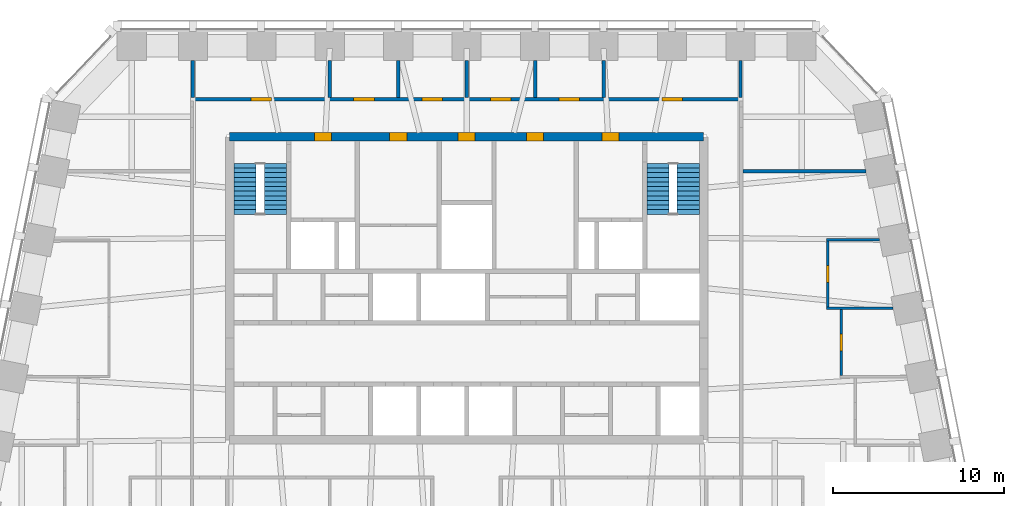
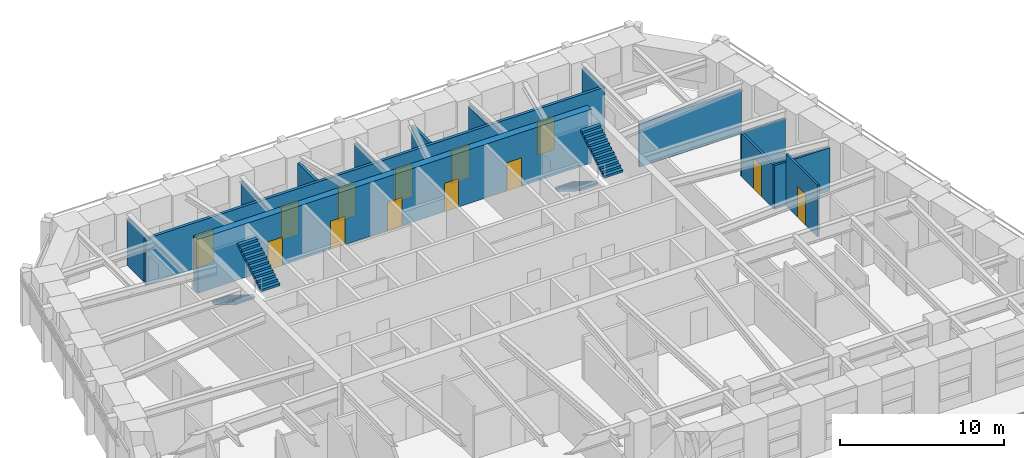
# One storey, part 8 of 11: 14 walls, 13 doors, 4 stair flights, 13 openings, 2 elements without a shape of their own.
"""IFC4 building model written with IfcOpenShell, lengths in metres."""

from ifc_helpers import new_model, si_unit, direction, frame, frame_2d, origin, place, context, subcontext, project, spatial, polyline, rectangle, outline, extrude, material, layer, layer_set, type_object, element, fill, aggregate, save


model = new_model("IFC4")

# Units and contexts
model_context = context("Model", 3, precision=1e-05, world=origin(), true_north=direction((0.0, 1.0)))
body_context = subcontext(model_context, "Body", "Model", "MODEL_VIEW")
ifc_project = project(units=[si_unit("LENGTHUNIT", "METRE"), si_unit("AREAUNIT", "SQUARE_METRE"), si_unit("VOLUMEUNIT", "CUBIC_METRE"), si_unit("PLANEANGLEUNIT", "RADIAN"), si_unit("MASSUNIT", "GRAM", prefix="KILO")], contexts=[model_context])

# Site, building, storey
site_placement = place(None, origin())
site = spatial("IfcSite", under=ifc_project, at=site_placement, CompositionType="ELEMENT")
building_placement = place(site_placement, origin())
building = spatial("IfcBuilding", under=site, at=building_placement, Name="Isbrekke Arena Tower", CompositionType="ELEMENT")
storey_placement = place(building_placement, frame((0.0, 0.0, 272.0)))
storey = spatial("IfcBuildingStorey", under=building, at=storey_placement, Name="L63", CompositionType="ELEMENT", Elevation=272.0)

# Wall, openings, doors
ifc_material_1 = material(Name="Concrete B55 (C55/67)", Category="concrete")
ifc_layer_1 = layer(ifc_material_1, 0.5)
ifc_layer_set_1 = layer_set([ifc_layer_1], Name="CW5 CORE WALL 500")
wall_type_1 = type_object("IfcWallType", Name="CW5 CORE WALL 500", PredefinedType="SHEAR", material=ifc_layer_set_1)
wall_1_placement = place(storey_placement, frame((13.85009765625, 23.85009765625, 0.0), z_axis=(0.0, 0.0, 1.0), x_axis=(-1.0, 0.0, 0.0)))
wall_1 = element("IfcWall", 1, at=wall_1_placement, inside=storey, type_object=wall_type_1, Name="Core wall N L63", PredefinedType="SHEAR", context=body_context, shape_type="SweptSolid", body=[
    extrude(rectangle(XDim=27.7001953125, YDim=0.5, at=frame_2d((13.85009765625, 0.0))), origin(), (0.0, 0.0, 1.0), 4.0),
])
opening_1_placement = place(wall_1_placement, frame((21.75, 0.0, 0.0)))
opening_1 = element("IfcOpeningElement", 2, at=opening_1_placement, cuts=wall_1, Name="Opening D3", PredefinedType="OPENING", context=body_context, shape_type="SweptSolid", body=[
    extrude(rectangle(XDim=1.0, YDim=2.10009765625, at=frame_2d((0.5, 1.050048828125))), frame((0.0, 0.264892578125, 0.0), z_axis=(0.0, -1.0, 0.0), x_axis=(1.0, 0.0, 0.0)), (0.0, 0.0, 1.0), 0.52978515625),
])
opening_2_placement = place(wall_1_placement, frame((4.949951171875, 0.0, 0.0)))
opening_2 = element("IfcOpeningElement", 3, at=opening_2_placement, cuts=wall_1, Name="Opening D3", PredefinedType="OPENING", context=body_context, shape_type="SweptSolid", body=[
    extrude(rectangle(XDim=1.0, YDim=2.10009765625, at=frame_2d((0.5, 1.050048828125))), frame((0.0, 0.264892578125, 0.0), z_axis=(0.0, -1.0, 0.0), x_axis=(1.0, 0.0, 0.0)), (0.0, 0.0, 1.0), 0.52978515625),
])
opening_3_placement = place(wall_1_placement, frame((17.35009765625, 0.0, 0.0)))
opening_3 = element("IfcOpeningElement", 4, at=opening_3_placement, cuts=wall_1, Name="Opening D4", PredefinedType="OPENING", context=body_context, shape_type="SweptSolid", body=[
    extrude(rectangle(XDim=1.0, YDim=2.10009765625, at=frame_2d((0.5, 1.050048828125))), frame((0.0, 0.264892578125, 0.0), z_axis=(0.0, -1.0, 0.0), x_axis=(1.0, 0.0, 0.0)), (0.0, 0.0, 1.0), 0.52978515625),
])
opening_4_placement = place(wall_1_placement, frame((13.35009765625, 0.0, 0.0)))
opening_4 = element("IfcOpeningElement", 5, at=opening_4_placement, cuts=wall_1, Name="Opening D4", PredefinedType="OPENING", context=body_context, shape_type="SweptSolid", body=[
    extrude(rectangle(XDim=1.0, YDim=2.10009765625, at=frame_2d((0.5, 1.050048828125))), frame((0.0, 0.264892578125, 0.0), z_axis=(0.0, -1.0, 0.0), x_axis=(1.0, 0.0, 0.0)), (0.0, 0.0, 1.0), 0.52978515625),
])
opening_5_placement = place(wall_1_placement, frame((9.35009765625, 0.0, 0.0)))
opening_5 = element("IfcOpeningElement", 6, at=opening_5_placement, cuts=wall_1, Name="Opening D4", PredefinedType="OPENING", context=body_context, shape_type="SweptSolid", body=[
    extrude(rectangle(XDim=1.0, YDim=2.10009765625, at=frame_2d((0.5, 1.050048828125))), frame((0.0, 0.264892578125, 0.0), z_axis=(0.0, -1.0, 0.0), x_axis=(1.0, 0.0, 0.0)), (0.0, 0.0, 1.0), 0.52978515625),
])
ifc_material_2 = material(Name="Steel fire door", Category="steel")
door_type_1 = type_object("IfcDoorType", Name="D3 FIRE LOBBY DOOR 1000 x 2100", OperationType="SINGLE_SWING_RIGHT", PredefinedType="DOOR", material=ifc_material_2)
door_1_placement = place(opening_1_placement, origin())
door_1 = element("IfcDoor", 7, at=door_1_placement, inside=storey, type_object=door_type_1, Name="D3 fire-fighting lobby door L63", OperationType="SINGLE_SWING_RIGHT", OverallHeight=2.10009765625, OverallWidth=1.0, PredefinedType="DOOR", context=body_context, shape_type="SweptSolid", body=[
    extrude(rectangle(XDim=1.0, YDim=2.10009765625, at=frame_2d((0.5, 1.050048828125))), frame((0.0, 0.249755859375, 0.0), z_axis=(0.0, -1.0, 0.0), x_axis=(1.0, 0.0, 0.0)), (0.0, 0.0, 1.0), 0.49951171875),
])
fill(opening_1, door_1)
door_2_placement = place(opening_2_placement, origin())
door_2 = element("IfcDoor", 8, at=door_2_placement, inside=storey, type_object=door_type_1, Name="D3 fire-fighting lobby door L63", OperationType="SINGLE_SWING_RIGHT", OverallHeight=2.10009765625, OverallWidth=1.0, PredefinedType="DOOR", context=body_context, shape_type="SweptSolid", body=[
    extrude(rectangle(XDim=1.0, YDim=2.10009765625, at=frame_2d((0.5, 1.050048828125))), frame((0.0, 0.249755859375, 0.0), z_axis=(0.0, -1.0, 0.0), x_axis=(1.0, 0.0, 0.0)), (0.0, 0.0, 1.0), 0.49951171875),
])
fill(opening_2, door_2)
ifc_material_3 = material(Name="Timber door", Category="wood")
door_type_2 = type_object("IfcDoorType", Name="D4 WC DOOR 1000 x 2100", OperationType="SINGLE_SWING_LEFT", PredefinedType="DOOR", material=ifc_material_3)
door_3_placement = place(opening_3_placement, origin())
door_3 = element("IfcDoor", 9, at=door_3_placement, inside=storey, type_object=door_type_2, Name="D4 wc female door L63", OperationType="SINGLE_SWING_LEFT", OverallHeight=2.10009765625, OverallWidth=1.0, PredefinedType="DOOR", context=body_context, shape_type="SweptSolid", body=[
    extrude(rectangle(XDim=1.0, YDim=2.10009765625, at=frame_2d((0.5, 1.050048828125))), frame((0.0, 0.249755859375, 0.0), z_axis=(0.0, -1.0, 0.0), x_axis=(1.0, 0.0, 0.0)), (0.0, 0.0, 1.0), 0.49951171875),
])
fill(opening_3, door_3)
door_4_placement = place(opening_4_placement, origin())
door_4 = element("IfcDoor", 10, at=door_4_placement, inside=storey, type_object=door_type_2, Name="D4 accessible wc door L63", OperationType="SINGLE_SWING_LEFT", OverallHeight=2.10009765625, OverallWidth=1.0, PredefinedType="DOOR", context=body_context, shape_type="SweptSolid", body=[
    extrude(rectangle(XDim=1.0, YDim=2.10009765625, at=frame_2d((0.5, 1.050048828125))), frame((0.0, 0.249755859375, 0.0), z_axis=(0.0, -1.0, 0.0), x_axis=(1.0, 0.0, 0.0)), (0.0, 0.0, 1.0), 0.49951171875),
])
fill(opening_4, door_4)
door_5_placement = place(opening_5_placement, origin())
door_5 = element("IfcDoor", 11, at=door_5_placement, inside=storey, type_object=door_type_2, Name="D4 wc male door L63", OperationType="SINGLE_SWING_LEFT", OverallHeight=2.10009765625, OverallWidth=1.0, PredefinedType="DOOR", context=body_context, shape_type="SweptSolid", body=[
    extrude(rectangle(XDim=1.0, YDim=2.10009765625, at=frame_2d((0.5, 1.050048828125))), frame((0.0, 0.249755859375, 0.0), z_axis=(0.0, -1.0, 0.0), x_axis=(1.0, 0.0, 0.0)), (0.0, 0.0, 1.0), 0.49951171875),
])
fill(opening_5, door_5)

# Walls
ifc_material_4 = material(Name="Gypsum board partition on steel studs", Category="steel")
ifc_layer_2 = layer(ifc_material_4, 0.14990234375)
ifc_layer_set_2 = layer_set([ifc_layer_2], Name="IW1 PARTITION 150")
wall_type_2 = type_object("IfcWallType", Name="IW1 PARTITION 150", PredefinedType="PARTITIONING", material=ifc_layer_set_2)
wall_2_placement = place(storey_placement, frame((21.02490234375, 13.840087890625, 0.0), z_axis=(0.0, 0.0, 1.0), x_axis=(1.0, 0.0, 0.0)))
element("IfcWall", 12, at=wall_2_placement, inside=storey, type_object=wall_type_2, Name="IW1 partition 150 L63", PredefinedType="PARTITIONING", context=body_context, shape_type="SweptSolid", body=[
    extrude(rectangle(XDim=3.89892578125, YDim=0.14990234375, at=frame_2d((1.949462890625, 0.0))), origin(), (0.0, 0.0, 1.0), 3.22998046875),
])
wall_3_placement = place(storey_placement, frame((21.02490234375, 17.840087890625, 0.0), z_axis=(0.0, 0.0, 1.0), x_axis=(1.0, 0.0, 0.0)))
element("IfcWall", 13, at=wall_3_placement, inside=storey, type_object=wall_type_2, Name="IW1 partition 150 L63", PredefinedType="PARTITIONING", context=body_context, shape_type="SweptSolid", body=[
    extrude(rectangle(XDim=3.098876953125, YDim=0.14990234375, at=frame_2d((1.54931640625, 0.0))), origin(), (0.0, 0.0, 1.0), 3.22998046875),
])

# Wall, opening, door
wall_4_placement = place(storey_placement, frame((21.10009765625, 13.9150390625, 0.0), z_axis=(0.0, 0.0, 1.0), x_axis=(0.0, 1.0, 0.0)))
wall_4 = element("IfcWall", 14, at=wall_4_placement, inside=storey, type_object=wall_type_2, Name="IW1 partition 150 L63", PredefinedType="PARTITIONING", context=body_context, shape_type="SweptSolid", body=[
    extrude(rectangle(XDim=3.849853515625, YDim=0.14990234375, at=frame_2d((1.9248046875, 0.0))), origin(), (0.0, 0.0, 1.0), 3.22998046875),
])
opening_6_placement = place(wall_4_placement, frame((1.425048828125, 0.0, 0.0)))
opening_6 = element("IfcOpeningElement", 15, at=opening_6_placement, cuts=wall_4, Name="Opening D10", PredefinedType="OPENING", context=body_context, shape_type="SweptSolid", body=[
    extrude(rectangle(XDim=1.0, YDim=2.300048828125, at=frame_2d((0.5, 1.14990234375))), frame((0.0, 0.08984375, 0.0), z_axis=(0.0, -1.0, 0.0), x_axis=(1.0, 0.0, 0.0)), (0.0, 0.0, 1.0), 0.1796875),
])
ifc_material_5 = material(Name="Timber door", Category="wood")
door_type_3 = type_object("IfcDoorType", Name="D10 OFFICE DOOR 1000 x 2300", OperationType="SINGLE_SWING_LEFT", PredefinedType="DOOR", material=ifc_material_5)
door_6_placement = place(opening_6_placement, origin())
door_6 = element("IfcDoor", 16, at=door_6_placement, inside=storey, type_object=door_type_3, Name="D10 office door L63", OperationType="SINGLE_SWING_LEFT", OverallHeight=2.300048828125, OverallWidth=1.0, PredefinedType="DOOR", context=body_context, shape_type="SweptSolid", body=[
    extrude(rectangle(XDim=1.0, YDim=2.300048828125, at=frame_2d((0.5, 1.14990234375))), frame((0.0, 0.07470703125, 0.0), z_axis=(0.0, -1.0, 0.0), x_axis=(1.0, 0.0, 0.0)), (0.0, 0.0, 1.0), 0.1494140625),
])
fill(opening_6, door_6)

wall_5_placement = place(storey_placement, frame((21.89990234375, 9.9150390625, 0.0), z_axis=(0.0, 0.0, 1.0), x_axis=(0.0, 1.0, 0.0)))
wall_5 = element("IfcWall", 17, at=wall_5_placement, inside=storey, type_object=wall_type_2, Name="IW1 partition 150 L63", PredefinedType="PARTITIONING", context=body_context, shape_type="SweptSolid", body=[
    extrude(rectangle(XDim=3.849853515625, YDim=0.14990234375, at=frame_2d((1.9248046875, 0.0))), origin(), (0.0, 0.0, 1.0), 3.85009765625),
])
opening_7_placement = place(wall_5_placement, frame((1.425048828125, 0.0, 0.0)))
opening_7 = element("IfcOpeningElement", 18, at=opening_7_placement, cuts=wall_5, Name="Opening D10", PredefinedType="OPENING", context=body_context, shape_type="SweptSolid", body=[
    extrude(rectangle(XDim=1.0, YDim=2.300048828125, at=frame_2d((0.5, 1.14990234375))), frame((0.0, 0.08984375, 0.0), z_axis=(0.0, -1.0, 0.0), x_axis=(1.0, 0.0, 0.0)), (0.0, 0.0, 1.0), 0.1796875),
])
door_7_placement = place(opening_7_placement, origin())
door_7 = element("IfcDoor", 19, at=door_7_placement, inside=storey, type_object=door_type_3, Name="D10 office door L63", OperationType="SINGLE_SWING_LEFT", OverallHeight=2.300048828125, OverallWidth=1.0, PredefinedType="DOOR", context=body_context, shape_type="SweptSolid", body=[
    extrude(rectangle(XDim=1.0, YDim=2.300048828125, at=frame_2d((0.5, 1.14990234375))), frame((0.0, 0.07470703125, 0.0), z_axis=(0.0, -1.0, 0.0), x_axis=(1.0, 0.0, 0.0)), (0.0, 0.0, 1.0), 0.1494140625),
])
fill(opening_7, door_7)

# Wall
ifc_material_6 = material(Name="Gypsum board fire-cell wall on steel studs, two layers each side", Category="steel")
ifc_layer_3 = layer(ifc_material_6, 0.199951171875)
ifc_layer_set_3 = layer_set([ifc_layer_3], Name="IW3 FIRE-CELL WALL 200")
wall_type_3 = type_object("IfcWallType", Name="IW3 FIRE-CELL WALL 200", PredefinedType="PARTITIONING", material=ifc_layer_set_3)
wall_6_placement = place(storey_placement, frame((16.14990234375, 21.840087890625, 0.0), z_axis=(0.0, 0.0, 1.0), x_axis=(1.0, 0.0, 0.0)))
element("IfcWall", 20, at=wall_6_placement, inside=storey, type_object=wall_type_3, Name="IW3 fire-cell wall 200 L63", PredefinedType="PARTITIONING", context=body_context, shape_type="SweptSolid", body=[
    extrude(rectangle(XDim=7.173828125, YDim=0.199951171875, at=frame_2d((3.5869140625, 0.0))), origin(), (0.0, 0.0, 1.0), 3.22998046875),
])

# Wall, openings, doors
wall_7_placement = place(storey_placement, frame((-16.14990234375, 26.050048828125, 0.0), z_axis=(0.0, 0.0, 1.0), x_axis=(1.0, 0.0, 0.0)))
wall_7 = element("IfcWall", 21, at=wall_7_placement, inside=storey, type_object=wall_type_3, Name="IW3 fire-cell wall 200 L63", PredefinedType="PARTITIONING", context=body_context, shape_type="SweptSolid", body=[
    extrude(rectangle(XDim=32.2998046875, YDim=0.199951171875, at=frame_2d((16.14990234375, 0.0))), origin(), (0.0, 0.0, 1.0), 3.41796875),
])
opening_8_placement = place(wall_7_placement, frame((3.550048828125, 0.0, 0.0)))
opening_8 = element("IfcOpeningElement", 22, at=opening_8_placement, cuts=wall_7, Name="Opening D12", PredefinedType="OPENING", context=body_context, shape_type="SweptSolid", body=[
    extrude(rectangle(XDim=1.199951171875, YDim=2.39990234375, at=frame_2d((0.60009765625, 1.199951171875))), frame((0.0, 0.11474609375, 0.0), z_axis=(0.0, -1.0, 0.0), x_axis=(1.0, 0.0, 0.0)), (0.0, 0.0, 1.0), 0.229736328125),
])
opening_9_placement = place(wall_7_placement, frame((9.550048828125, 0.0, 0.0)))
opening_9 = element("IfcOpeningElement", 23, at=opening_9_placement, cuts=wall_7, Name="Opening D12", PredefinedType="OPENING", context=body_context, shape_type="SweptSolid", body=[
    extrude(rectangle(XDim=1.199951171875, YDim=2.39990234375, at=frame_2d((0.60009765625, 1.199951171875))), frame((0.0, 0.11474609375, 0.0), z_axis=(0.0, -1.0, 0.0), x_axis=(1.0, 0.0, 0.0)), (0.0, 0.0, 1.0), 0.229736328125),
])
opening_10_placement = place(wall_7_placement, frame((13.550048828125, 0.0, 0.0)))
opening_10 = element("IfcOpeningElement", 24, at=opening_10_placement, cuts=wall_7, Name="Opening D12", PredefinedType="OPENING", context=body_context, shape_type="SweptSolid", body=[
    extrude(rectangle(XDim=1.199951171875, YDim=2.39990234375, at=frame_2d((0.60009765625, 1.199951171875))), frame((0.0, 0.11474609375, 0.0), z_axis=(0.0, -1.0, 0.0), x_axis=(1.0, 0.0, 0.0)), (0.0, 0.0, 1.0), 0.229736328125),
])
opening_11_placement = place(wall_7_placement, frame((17.550048828125, 0.0, 0.0)))
opening_11 = element("IfcOpeningElement", 25, at=opening_11_placement, cuts=wall_7, Name="Opening D12", PredefinedType="OPENING", context=body_context, shape_type="SweptSolid", body=[
    extrude(rectangle(XDim=1.199951171875, YDim=2.39990234375, at=frame_2d((0.60009765625, 1.199951171875))), frame((0.0, 0.11474609375, 0.0), z_axis=(0.0, -1.0, 0.0), x_axis=(1.0, 0.0, 0.0)), (0.0, 0.0, 1.0), 0.229736328125),
])
opening_12_placement = place(wall_7_placement, frame((21.550048828125, 0.0, 0.0)))
opening_12 = element("IfcOpeningElement", 26, at=opening_12_placement, cuts=wall_7, Name="Opening D12", PredefinedType="OPENING", context=body_context, shape_type="SweptSolid", body=[
    extrude(rectangle(XDim=1.199951171875, YDim=2.39990234375, at=frame_2d((0.60009765625, 1.199951171875))), frame((0.0, 0.11474609375, 0.0), z_axis=(0.0, -1.0, 0.0), x_axis=(1.0, 0.0, 0.0)), (0.0, 0.0, 1.0), 0.229736328125),
])
opening_13_placement = place(wall_7_placement, frame((27.550048828125, 0.0, 0.0)))
opening_13 = element("IfcOpeningElement", 27, at=opening_13_placement, cuts=wall_7, Name="Opening D12", PredefinedType="OPENING", context=body_context, shape_type="SweptSolid", body=[
    extrude(rectangle(XDim=1.199951171875, YDim=2.39990234375, at=frame_2d((0.60009765625, 1.199951171875))), frame((0.0, 0.11474609375, 0.0), z_axis=(0.0, -1.0, 0.0), x_axis=(1.0, 0.0, 0.0)), (0.0, 0.0, 1.0), 0.229736328125),
])
ifc_material_7 = material(Name="Timber fire door with vision panel", Category="wood")
door_type_4 = type_object("IfcDoorType", Name="D12 SUITE ENTRANCE DOOR 1200 x 2400", OperationType="SINGLE_SWING_LEFT", PredefinedType="DOOR", material=ifc_material_7)
door_8_placement = place(opening_8_placement, origin())
door_8 = element("IfcDoor", 28, at=door_8_placement, inside=storey, type_object=door_type_4, Name="D12 suite entrance NB1 door L63", OperationType="SINGLE_SWING_LEFT", OverallHeight=2.39990234375, OverallWidth=1.199951171875, PredefinedType="DOOR", context=body_context, shape_type="SweptSolid", body=[
    extrude(rectangle(XDim=1.199951171875, YDim=2.39990234375, at=frame_2d((0.60009765625, 1.199951171875))), frame((0.0, 0.099609375, 0.0), z_axis=(0.0, -1.0, 0.0), x_axis=(1.0, 0.0, 0.0)), (0.0, 0.0, 1.0), 0.199462890625),
])
fill(opening_8, door_8)
door_9_placement = place(opening_9_placement, origin())
door_9 = element("IfcDoor", 29, at=door_9_placement, inside=storey, type_object=door_type_4, Name="D12 suite entrance NB2 door L63", OperationType="SINGLE_SWING_LEFT", OverallHeight=2.39990234375, OverallWidth=1.199951171875, PredefinedType="DOOR", context=body_context, shape_type="SweptSolid", body=[
    extrude(rectangle(XDim=1.199951171875, YDim=2.39990234375, at=frame_2d((0.60009765625, 1.199951171875))), frame((0.0, 0.099609375, 0.0), z_axis=(0.0, -1.0, 0.0), x_axis=(1.0, 0.0, 0.0)), (0.0, 0.0, 1.0), 0.199462890625),
])
fill(opening_9, door_9)
door_10_placement = place(opening_10_placement, origin())
door_10 = element("IfcDoor", 30, at=door_10_placement, inside=storey, type_object=door_type_4, Name="D12 suite entrance NB3 door L63", OperationType="SINGLE_SWING_LEFT", OverallHeight=2.39990234375, OverallWidth=1.199951171875, PredefinedType="DOOR", context=body_context, shape_type="SweptSolid", body=[
    extrude(rectangle(XDim=1.199951171875, YDim=2.39990234375, at=frame_2d((0.60009765625, 1.199951171875))), frame((0.0, 0.099609375, 0.0), z_axis=(0.0, -1.0, 0.0), x_axis=(1.0, 0.0, 0.0)), (0.0, 0.0, 1.0), 0.199462890625),
])
fill(opening_10, door_10)
door_11_placement = place(opening_11_placement, origin())
door_11 = element("IfcDoor", 31, at=door_11_placement, inside=storey, type_object=door_type_4, Name="D12 suite entrance NB4 door L63", OperationType="SINGLE_SWING_LEFT", OverallHeight=2.39990234375, OverallWidth=1.199951171875, PredefinedType="DOOR", context=body_context, shape_type="SweptSolid", body=[
    extrude(rectangle(XDim=1.199951171875, YDim=2.39990234375, at=frame_2d((0.60009765625, 1.199951171875))), frame((0.0, 0.099609375, 0.0), z_axis=(0.0, -1.0, 0.0), x_axis=(1.0, 0.0, 0.0)), (0.0, 0.0, 1.0), 0.199462890625),
])
fill(opening_11, door_11)
door_12_placement = place(opening_12_placement, origin())
door_12 = element("IfcDoor", 32, at=door_12_placement, inside=storey, type_object=door_type_4, Name="D12 suite entrance NB5 door L63", OperationType="SINGLE_SWING_LEFT", OverallHeight=2.39990234375, OverallWidth=1.199951171875, PredefinedType="DOOR", context=body_context, shape_type="SweptSolid", body=[
    extrude(rectangle(XDim=1.199951171875, YDim=2.39990234375, at=frame_2d((0.60009765625, 1.199951171875))), frame((0.0, 0.099609375, 0.0), z_axis=(0.0, -1.0, 0.0), x_axis=(1.0, 0.0, 0.0)), (0.0, 0.0, 1.0), 0.199462890625),
])
fill(opening_12, door_12)
door_13_placement = place(opening_13_placement, origin())
door_13 = element("IfcDoor", 33, at=door_13_placement, inside=storey, type_object=door_type_4, Name="D12 suite entrance NB6 door L63", OperationType="SINGLE_SWING_LEFT", OverallHeight=2.39990234375, OverallWidth=1.199951171875, PredefinedType="DOOR", context=body_context, shape_type="SweptSolid", body=[
    extrude(rectangle(XDim=1.199951171875, YDim=2.39990234375, at=frame_2d((0.60009765625, 1.199951171875))), frame((0.0, 0.099609375, 0.0), z_axis=(0.0, -1.0, 0.0), x_axis=(1.0, 0.0, 0.0)), (0.0, 0.0, 1.0), 0.199462890625),
])
fill(opening_13, door_13)

# Walls
for number, where, z_axis, x_axis, name in (
    (34, (-16.0, 26.14990234375, 0.0), (0.0, 0.0, 1.0), (0.0, 1.0, 0.0), "IW3 fire-cell wall 200 L63"),
    (35, (-8.0, 26.14990234375, 0.0), (0.0, 0.0, 1.0), (0.0, 1.0, 0.0), "IW3 fire-cell wall 200 L63"),
    (36, (-4.0, 26.14990234375, 0.0), (0.0, 0.0, 1.0), (0.0, 1.0, 0.0), "IW3 fire-cell wall 200 L63"),
    (37, (0.0, 26.14990234375, 0.0), (0.0, 0.0, 1.0), (0.0, 1.0, 0.0), "IW3 fire-cell wall 200 L63"),
    (38, (4.0, 26.14990234375, 0.0), (0.0, 0.0, 1.0), (0.0, 1.0, 0.0), "IW3 fire-cell wall 200 L63"),
    (39, (8.0, 26.14990234375, 0.0), (0.0, 0.0, 1.0), (0.0, 1.0, 0.0), "IW3 fire-cell wall 200 L63"),
    (40, (16.0, 26.14990234375, 0.0), (0.0, 0.0, 1.0), (0.0, 1.0, 0.0), "IW3 fire-cell wall 200 L63"),
):
    element("IfcWall", number, at=place(storey_placement, frame(where, z_axis=z_axis, x_axis=x_axis)), inside=storey, type_object=wall_type_3, Name=name, PredefinedType="PARTITIONING", context=body_context, shape_type="SweptSolid", body=[
        extrude(rectangle(XDim=2.175048828125, YDim=0.199951171875, at=frame_2d((1.08740234375, 0.0))), origin(), (0.0, 0.0, 1.0), 3.41796875),
    ])

# Stair, stair flights
ifc_material_8 = material(Name="Concrete B45 (C45/55) precast", Category="concrete")
stair_type = type_object("IfcStairType", Name="ST40 STAIR 1300 WIDE, 24 RISERS 167", PredefinedType="HALF_TURN_STAIR", material=ifc_material_8)
stair_1_placement = place(storey_placement, origin())
stair_1 = element("IfcStair", 41, at=stair_1_placement, inside=storey, type_object=stair_type, Name="ST1 stair L63", PredefinedType="HALF_TURN_STAIR")
ifc_material_9 = material(Name="Concrete B45 (C45/55) precast", Category="concrete")
stair_flight_type = type_object("IfcStairFlightType", Name="SF 1300 FLIGHT", PredefinedType="STRAIGHT", material=ifc_material_9)
stair_flight_1_placement = place(storey_placement, frame((-12.949951171875, 22.300048828125, 0.0), z_axis=(0.0, 0.0, 1.0), x_axis=(0.0, -1.0, 0.0)))
stair_flight_1 = element("IfcStairFlight", 42, at=stair_flight_1_placement, type_object=stair_flight_type, Name="ST1 flight 1", NumberOfRisers=12, NumberOfTreads=11, PredefinedType="STRAIGHT", RiserHeight=0.166666667, TreadLength=0.27, context=body_context, shape_type="SweptSolid", body=[
    extrude(outline(polyline([(0.0, 0.0), (0.0, 0.166748046875), (0.27001953125, 0.166748046875), (0.27001953125, 0.333251953125), (0.5400390625, 0.333251953125), (0.5400390625, 0.5), (0.81005859375, 0.5), (0.81005859375, 0.666748046875), (1.080078125, 0.666748046875), (1.080078125, 0.833251953125), (1.35009765625, 0.833251953125), (1.35009765625, 1.0), (1.6201171875, 1.0), (1.6201171875, 1.166748046875), (1.889892578125, 1.166748046875), (1.889892578125, 1.333251953125), (2.159912109375, 1.333251953125), (2.159912109375, 1.5), (2.429931640625, 1.5), (2.429931640625, 1.666748046875), (2.699951171875, 1.666748046875), (2.699951171875, 1.833251953125), (2.969970703125, 1.833251953125), (2.969970703125, 2.0), (2.969970703125, 1.6572265625), (0.285400390625, 0.0), (0.0, 0.0)])), frame((0.0, 0.64990234375, 0.0), z_axis=(0.0, -1.0, 0.0), x_axis=(1.0, 0.0, 0.0)), (0.0, 0.0, 1.0), 1.300048828125),
])
stair_flight_2_placement = place(storey_placement, frame((-11.175048828125, 19.330078125, 2.0), z_axis=(0.0, 0.0, 1.0), x_axis=(0.0, 1.0, 0.0)))
stair_flight_2 = element("IfcStairFlight", 43, at=stair_flight_2_placement, type_object=stair_flight_type, Name="ST1 flight 2", NumberOfRisers=12, NumberOfTreads=11, PredefinedType="STRAIGHT", RiserHeight=0.166666667, TreadLength=0.27, context=body_context, shape_type="SweptSolid", body=[
    extrude(outline(polyline([(0.0, 0.0), (0.0, 0.166748046875), (0.27001953125, 0.166748046875), (0.27001953125, 0.333251953125), (0.5400390625, 0.333251953125), (0.5400390625, 0.5), (0.81005859375, 0.5), (0.81005859375, 0.666748046875), (1.080078125, 0.666748046875), (1.080078125, 0.833251953125), (1.35009765625, 0.833251953125), (1.35009765625, 1.0), (1.6201171875, 1.0), (1.6201171875, 1.166748046875), (1.889892578125, 1.166748046875), (1.889892578125, 1.333251953125), (2.159912109375, 1.333251953125), (2.159912109375, 1.5), (2.429931640625, 1.5), (2.429931640625, 1.666748046875), (2.699951171875, 1.666748046875), (2.699951171875, 1.833251953125), (2.969970703125, 1.833251953125), (2.969970703125, 2.0), (2.969970703125, 1.6572265625), (0.285400390625, 0.0), (0.0, 0.0)])), frame((0.0, 0.64990234375, 0.0), z_axis=(0.0, -1.0, 0.0), x_axis=(1.0, 0.0, 0.0)), (0.0, 0.0, 1.0), 1.300048828125),
])
aggregate(stair_1, [stair_flight_1, stair_flight_2])

stair_2_placement = place(storey_placement, origin())
stair_2 = element("IfcStair", 44, at=stair_2_placement, inside=storey, type_object=stair_type, Name="ST2 stair L63", PredefinedType="HALF_TURN_STAIR")
stair_flight_3_placement = place(storey_placement, frame((11.175048828125, 22.300048828125, 0.0), z_axis=(0.0, 0.0, 1.0), x_axis=(0.0, -1.0, 0.0)))
stair_flight_3 = element("IfcStairFlight", 45, at=stair_flight_3_placement, type_object=stair_flight_type, Name="ST2 flight 1", NumberOfRisers=12, NumberOfTreads=11, PredefinedType="STRAIGHT", RiserHeight=0.166666667, TreadLength=0.27, context=body_context, shape_type="SweptSolid", body=[
    extrude(outline(polyline([(0.0, 0.0), (0.0, 0.166748046875), (0.27001953125, 0.166748046875), (0.27001953125, 0.333251953125), (0.5400390625, 0.333251953125), (0.5400390625, 0.5), (0.81005859375, 0.5), (0.81005859375, 0.666748046875), (1.080078125, 0.666748046875), (1.080078125, 0.833251953125), (1.35009765625, 0.833251953125), (1.35009765625, 1.0), (1.6201171875, 1.0), (1.6201171875, 1.166748046875), (1.889892578125, 1.166748046875), (1.889892578125, 1.333251953125), (2.159912109375, 1.333251953125), (2.159912109375, 1.5), (2.429931640625, 1.5), (2.429931640625, 1.666748046875), (2.699951171875, 1.666748046875), (2.699951171875, 1.833251953125), (2.969970703125, 1.833251953125), (2.969970703125, 2.0), (2.969970703125, 1.6572265625), (0.285400390625, 0.0), (0.0, 0.0)])), frame((0.0, 0.64990234375, 0.0), z_axis=(0.0, -1.0, 0.0), x_axis=(1.0, 0.0, 0.0)), (0.0, 0.0, 1.0), 1.300048828125),
])
stair_flight_4_placement = place(storey_placement, frame((12.949951171875, 19.330078125, 2.0), z_axis=(0.0, 0.0, 1.0), x_axis=(0.0, 1.0, 0.0)))
stair_flight_4 = element("IfcStairFlight", 46, at=stair_flight_4_placement, type_object=stair_flight_type, Name="ST2 flight 2", NumberOfRisers=12, NumberOfTreads=11, PredefinedType="STRAIGHT", RiserHeight=0.166666667, TreadLength=0.27, context=body_context, shape_type="SweptSolid", body=[
    extrude(outline(polyline([(0.0, 0.0), (0.0, 0.166748046875), (0.27001953125, 0.166748046875), (0.27001953125, 0.333251953125), (0.5400390625, 0.333251953125), (0.5400390625, 0.5), (0.81005859375, 0.5), (0.81005859375, 0.666748046875), (1.080078125, 0.666748046875), (1.080078125, 0.833251953125), (1.35009765625, 0.833251953125), (1.35009765625, 1.0), (1.6201171875, 1.0), (1.6201171875, 1.166748046875), (1.889892578125, 1.166748046875), (1.889892578125, 1.333251953125), (2.159912109375, 1.333251953125), (2.159912109375, 1.5), (2.429931640625, 1.5), (2.429931640625, 1.666748046875), (2.699951171875, 1.666748046875), (2.699951171875, 1.833251953125), (2.969970703125, 1.833251953125), (2.969970703125, 2.0), (2.969970703125, 1.6572265625), (0.285400390625, 0.0), (0.0, 0.0)])), frame((0.0, 0.64990234375, 0.0), z_axis=(0.0, -1.0, 0.0), x_axis=(1.0, 0.0, 0.0)), (0.0, 0.0, 1.0), 1.300048828125),
])
aggregate(stair_2, [stair_flight_3, stair_flight_4])

save(model, "model.ifc")
